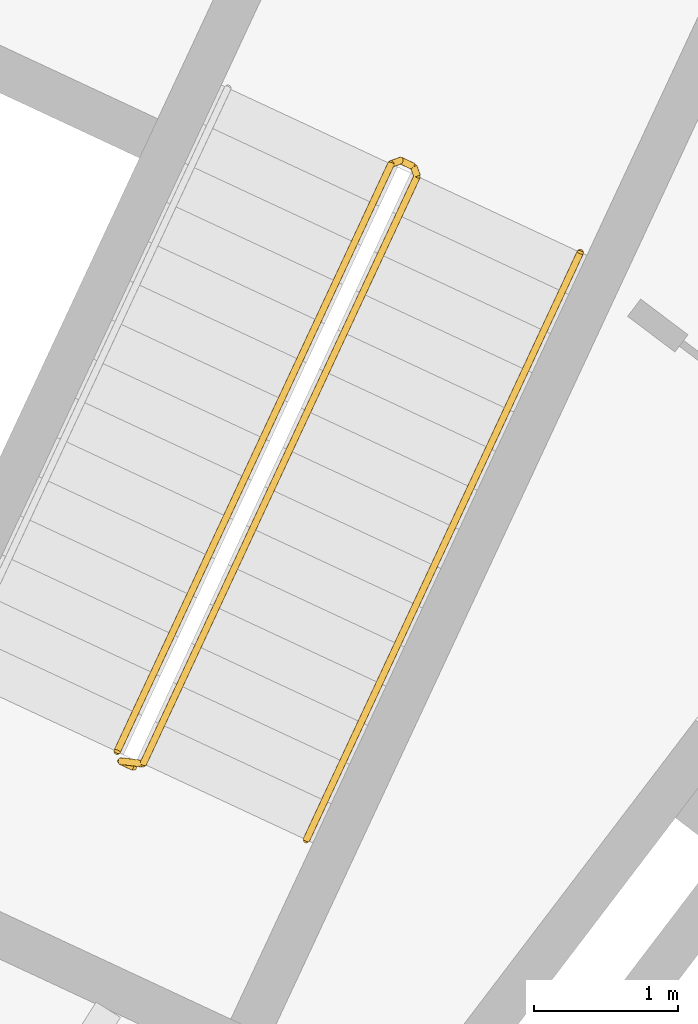
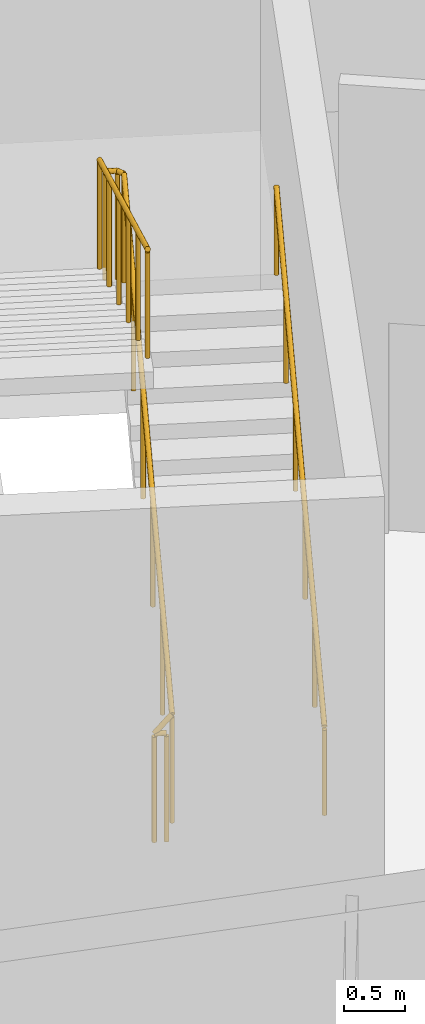
# One storey, part 14 of 14: 2 railings.
"""IFC4 building model written with IfcOpenShell, lengths in metres."""

from ifc_helpers import new_model, si_unit, direction, frame, origin, origin_2d, place, context, subcontext, project, spatial, circle, extrude, material, type_object, element, save


model = new_model("IFC4")

# Units and contexts
model_context = context("Model", 3, precision=1e-05, world=origin(), true_north=direction((0.0, 1.0)))
body_context = subcontext(model_context, "Body", "Model", "MODEL_VIEW")
ifc_project = project(units=[si_unit("LENGTHUNIT", "METRE"), si_unit("AREAUNIT", "SQUARE_METRE"), si_unit("VOLUMEUNIT", "CUBIC_METRE"), si_unit("PLANEANGLEUNIT", "RADIAN"), si_unit("MASSUNIT", "GRAM", prefix="KILO")], contexts=[model_context])

# Site, building, storey
site_placement = place(None, origin())
site = spatial("IfcSite", under=ifc_project, at=site_placement, CompositionType="ELEMENT")
building_placement = place(site_placement, origin())
building = spatial("IfcBuilding", under=site, at=building_placement, Name="Tuul Gate Civic Tower", CompositionType="ELEMENT")
storey_placement = place(building_placement, frame((0.0, 0.0, 17.10009765625)))
storey = spatial("IfcBuildingStorey", under=building, at=storey_placement, Name="Level 03", CompositionType="ELEMENT", Elevation=17.10009765625)

# Railings
ifc_material_1 = material(Name="Painted steel", Category="steel")
railing_type_1 = type_object("IfcRailingType", Name="Stair guard", PredefinedType="GUARDRAIL", material=ifc_material_1)
railing_1_placement = place(storey_placement, frame((33.645751953125, -5.238525390625, 0.0)))
element("IfcRailing", 1, at=railing_1_placement, inside=storey, type_object=railing_type_1, Name="Level 03 ST-4 stair guard 1", PredefinedType="GUARDRAIL", context=body_context, shape_type="SweptSolid", body=[
    extrude(circle(Radius=0.02392578125, at=origin_2d()), frame((0.0, 0.0, 1.076171875), z_axis=(-0.906307919131, 0.422617978463, 0.0), x_axis=(-0.422617978463, -0.906307919131, 0.0)), (0.0, 0.0, 1.0), 0.099853515625),
    extrude(circle(Radius=0.02392578125, at=origin_2d()), frame((-0.090576171875, 0.042236328125, 1.076171875), z_axis=(0.720735628292, -0.082946246491, 0.688229666829), x_axis=(0.114330889033, 0.993442724979, 0.0)), (0.0, 0.0, 1.0), 0.2177734375),
    extrude(circle(Radius=0.02392578125, at=origin_2d()), frame((0.06640625, 0.024169921875, 1.22607421875), z_axis=(0.377973126322, 0.810635649661, 0.447220481728), x_axis=(-0.906321697749, 0.42258842884, 0.0)), (0.0, 0.0, 1.0), 5.031005859375),
    extrude(circle(Radius=0.02392578125, at=origin_2d()), frame((1.968017578125, 4.1025390625, 3.47607421875), z_axis=(-0.342020437038, 0.939692513883, 0.0), x_axis=(-0.939692513883, -0.342020437038, 0.0)), (0.0, 0.0, 1.0), 0.070556640625),
    extrude(circle(Radius=0.02392578125, at=origin_2d()), frame((1.94384765625, 4.1689453125, 3.47607421875), z_axis=(-0.906307919131, 0.422617978463, 0.0), x_axis=(-0.422617978463, -0.906307919131, 0.0)), (0.0, 0.0, 1.0), 0.099853515625),
    extrude(circle(Radius=0.02392578125, at=origin_2d()), frame((1.853271484375, 4.211181640625, 3.47607421875), z_axis=(-0.401937642714, -0.145757606699, 0.903991621343), x_axis=(0.340913456846, -0.94009468403, 0.0)), (0.0, 0.0, 1.0), 0.165771484375),
    extrude(circle(Radius=0.02392578125, at=origin_2d()), frame((1.78662109375, 4.18701171875, 3.6259765625), z_axis=(-0.377931531328, -0.81065051757, 0.447228684222), x_axis=(0.906342476667, -0.422543861615, 0.0)), (0.0, 0.0, 1.0), 5.031005859375),
    extrude(circle(Radius=0.02099609375, at=origin_2d()), origin(), (0.0, 0.0, 1.0), 1.052001953125),
    extrude(circle(Radius=0.02099609375, at=origin_2d()), frame((-0.090576171875, 0.042236328125, 0.0)), (0.0, 0.0, 1.0), 1.052001953125),
    extrude(circle(Radius=0.02099609375, at=origin_2d()), frame((0.06640625, 0.024169921875, 0.14990234375)), (0.0, 0.0, 1.0), 1.052001953125),
    extrude(circle(Radius=0.02099609375, at=origin_2d()), frame((0.44677734375, 0.83984375, 0.599853515625)), (0.0, 0.0, 1.0), 1.052001953125),
    extrude(circle(Radius=0.02099609375, at=origin_2d()), frame((0.8271484375, 1.655517578125, 1.0498046875)), (0.0, 0.0, 1.0), 1.052001953125),
    extrude(circle(Radius=0.02099609375, at=origin_2d()), frame((1.207275390625, 2.47119140625, 1.5)), (0.0, 0.0, 1.0), 1.052001953125),
    extrude(circle(Radius=0.02099609375, at=origin_2d()), frame((1.587646484375, 3.286865234375, 1.949951171875)), (0.0, 0.0, 1.0), 1.052001953125),
    extrude(circle(Radius=0.02099609375, at=origin_2d()), frame((1.968017578125, 4.1025390625, 2.39990234375)), (0.0, 0.0, 1.0), 1.052001953125),
    extrude(circle(Radius=0.02099609375, at=origin_2d()), frame((1.94384765625, 4.1689453125, 2.39990234375)), (0.0, 0.0, 1.0), 1.052001953125),
    extrude(circle(Radius=0.02099609375, at=origin_2d()), frame((1.853271484375, 4.211181640625, 2.39990234375)), (0.0, 0.0, 1.0), 1.052001953125),
    extrude(circle(Radius=0.02099609375, at=origin_2d()), frame((1.78662109375, 4.18701171875, 2.5498046875)), (0.0, 0.0, 1.0), 1.052001953125),
    extrude(circle(Radius=0.02099609375, at=origin_2d()), frame((1.40625, 3.371337890625, 2.999755859375)), (0.0, 0.0, 1.0), 1.052001953125),
    extrude(circle(Radius=0.02099609375, at=origin_2d()), frame((1.026123046875, 2.5556640625, 3.44970703125)), (0.0, 0.0, 1.0), 1.052001953125),
    extrude(circle(Radius=0.02099609375, at=origin_2d()), frame((0.645751953125, 1.739990234375, 3.89990234375)), (0.0, 0.0, 1.0), 1.052001953125),
    extrude(circle(Radius=0.02099609375, at=origin_2d()), frame((0.265625, 0.92431640625, 4.349853515625)), (0.0, 0.0, 1.0), 1.052001953125),
    extrude(circle(Radius=0.02099609375, at=origin_2d()), frame((-0.11474609375, 0.108642578125, 4.7998046875)), (0.0, 0.0, 1.0), 1.052001953125),
])
ifc_material_2 = material(Name="Painted steel", Category="steel")
railing_type_2 = type_object("IfcRailingType", Name="Stair handrail", PredefinedType="HANDRAIL", material=ifc_material_2)
railing_2_placement = place(storey_placement, frame((34.844970703125, -5.74267578125, 0.14990234375)))
element("IfcRailing", 2, at=railing_2_placement, inside=storey, type_object=railing_type_2, Name="Level 03 ST-4 stair handrail 1", PredefinedType="HANDRAIL", context=body_context, shape_type="SweptSolid", body=[
    extrude(circle(Radius=0.02392578125, at=origin_2d()), frame((0.0, 0.0, 0.8759765625), z_axis=(0.377958258299, 0.810652286962, 0.447202889779), x_axis=(-0.906331385859, 0.422567650213, 0.0)), (0.0, 0.0, 1.0), 5.03125),
    extrude(circle(Radius=0.02099609375, at=origin_2d()), origin(), (0.0, 0.0, 1.0), 0.851806640625),
    extrude(circle(Radius=0.02099609375, at=origin_2d()), frame((0.38037109375, 0.815673828125, 0.449951171875)), (0.0, 0.0, 1.0), 0.851806640625),
    extrude(circle(Radius=0.02099609375, at=origin_2d()), frame((0.7607421875, 1.63134765625, 0.89990234375)), (0.0, 0.0, 1.0), 0.851806640625),
    extrude(circle(Radius=0.02099609375, at=origin_2d()), frame((1.140869140625, 2.447265625, 1.35009765625)), (0.0, 0.0, 1.0), 0.851806640625),
    extrude(circle(Radius=0.02099609375, at=origin_2d()), frame((1.521240234375, 3.262939453125, 1.800048828125)), (0.0, 0.0, 1.0), 0.851806640625),
    extrude(circle(Radius=0.02099609375, at=origin_2d()), frame((1.901611328125, 4.07861328125, 2.25)), (0.0, 0.0, 1.0), 0.851806640625),
])

save(model, "model.ifc")
